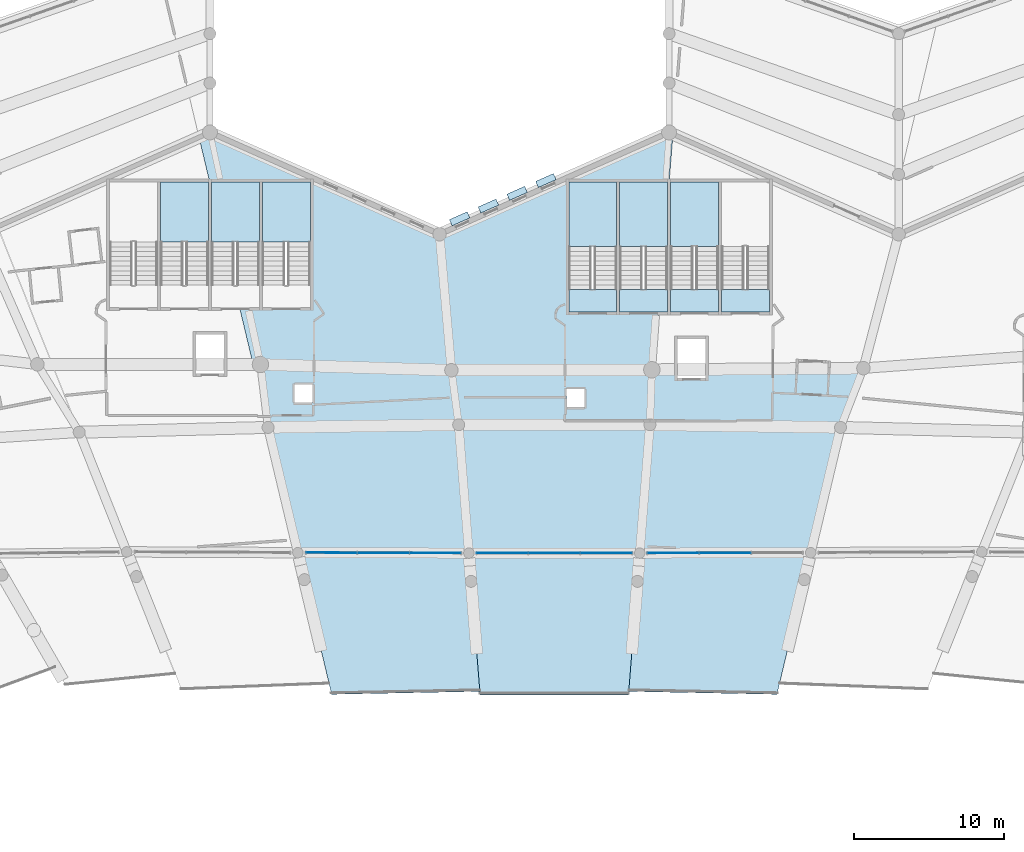
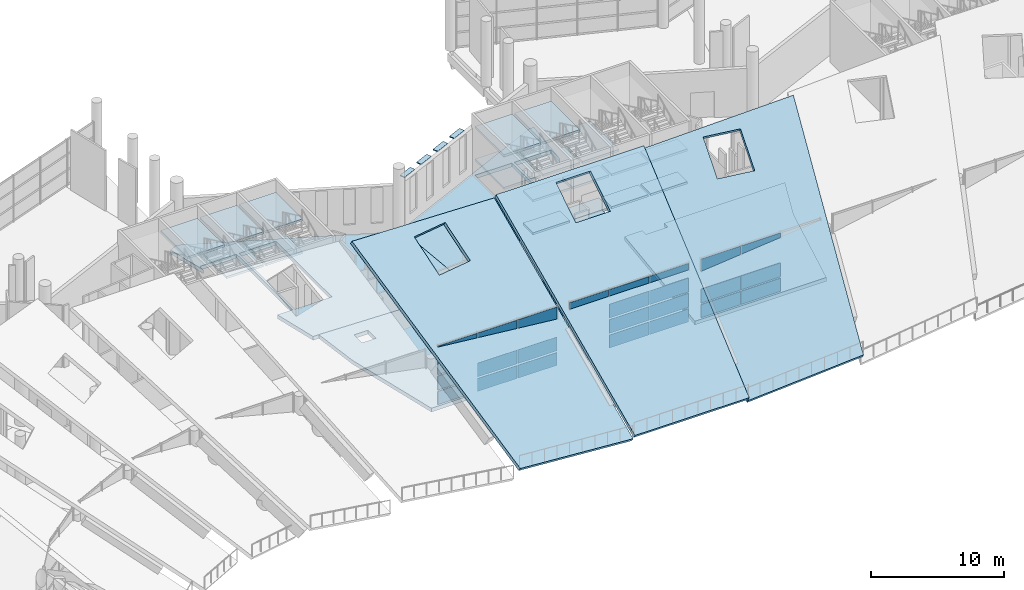
# One storey, part 125 of 249: 31 plates, 26 slabs, 10 elements without a shape of their own.
"""IFC4 building model written with IfcOpenShell, lengths in metres."""

import ifcopenshell
import ifcopenshell.guid

model = None  # the IFC model being written
_history = None  # IfcOwnerHistory: only IFC2X3 demands one
_inside = {}  # id of a spatial element -> (the spatial element, [elements in it])
_under = {}  # id of a project, library or spatial element -> (it, [spatial elements below it])
_declared = {}  # id of a project -> (the project, [libraries it declares])
_typed = {}  # id of a type object -> (the type object, [elements of that type])
_made_of = {}  # id of a material, layer set ... -> (it, [elements and type objects made of it])


def new_model(schema):
    """Start an empty IFC model of exactly this schema.

    Asked for "IFC4X3", IfcOpenShell would pick the latest addendum, in which some entities
    have other attributes; the version numbers below select the first issue.
    IFC2X3 requires an IfcOwnerHistory on every rooted entity: one is made here for all.
    """
    global model, _history
    if schema == "IFC4X3":
        model = ifcopenshell.file(schema_version=(4, 3, 0, 0))
    else:
        model = ifcopenshell.file(schema=schema)
    _inside.clear()
    _under.clear()
    _declared.clear()
    _typed.clear()
    _made_of.clear()
    _history = None
    if model.schema == "IFC2X3":
        org = make("IfcOrganization", Name="unknown")
        user = make(
            "IfcPersonAndOrganization",
            ThePerson=make("IfcPerson", FamilyName="unknown"),
            TheOrganization=org,
        )
        app = make(
            "IfcApplication",
            ApplicationDeveloper=org,
            Version="unknown",
            ApplicationFullName="unknown",
            ApplicationIdentifier="unknown",
        )
        _history = make(
            "IfcOwnerHistory",
            OwningUser=user,
            OwningApplication=app,
            ChangeAction="ADDED",
            CreationDate=0,
        )
    return model


def make(cls, **values):
    """One entity of the class cls with the attributes given. An attribute that is None is left unset."""
    return model.create_entity(
        cls, **{name: value for name, value in values.items() if value is not None}
    )


def rooted(cls, **values):
    """An entity with a GlobalId (a new one), such as an element, a storey or a relation."""
    return make(cls, GlobalId=ifcopenshell.guid.new(), OwnerHistory=_history, **values)


def si_unit(unit_type, name, prefix=None):
    """IfcSIUnit, for example si_unit("LENGTHUNIT", "METRE", prefix="MILLI")."""
    return make("IfcSIUnit", UnitType=unit_type, Prefix=prefix, Name=name)


def assignment(units):
    """IfcUnitAssignment: the units of a project."""
    return None if units is None else make("IfcUnitAssignment", Units=units)


def point(xyz):
    """IfcCartesianPoint."""
    return None if xyz is None else make("IfcCartesianPoint", Coordinates=xyz)


def direction(xyz):
    """IfcDirection."""
    return None if xyz is None else make("IfcDirection", DirectionRatios=xyz)


def frame(location, z_axis=None, x_axis=None):
    """IfcAxis2Placement3D, a coordinate frame: its origin and axes. An axis left out is left unset."""
    return make(
        "IfcAxis2Placement3D",
        Location=point(location),
        Axis=direction(z_axis),
        RefDirection=direction(x_axis),
    )


def frame_2d(location, x_axis=None):
    """IfcAxis2Placement2D, a coordinate frame in the plane: its origin and x axis."""
    return make(
        "IfcAxis2Placement2D", Location=point(location), RefDirection=direction(x_axis)
    )


def origin():
    """The frame at (0, 0, 0) with its axes left unset."""
    return frame((0.0, 0.0, 0.0))


def origin_2d():
    """The frame at (0, 0) in the plane with its x axis left unset."""
    return frame_2d((0.0, 0.0))


def place(relative_to, where):
    """IfcLocalPlacement: puts the frame where relative to a parent placement (None: the world)."""
    return make(
        "IfcLocalPlacement", PlacementRelTo=relative_to, RelativePlacement=where
    )


def context(
    kind, dimensions, precision=None, world=None, true_north=None, identifier=None
):
    """IfcGeometricRepresentationContext, for example the 3D "Model" context."""
    return make(
        "IfcGeometricRepresentationContext",
        ContextIdentifier=identifier,
        ContextType=kind,
        CoordinateSpaceDimension=dimensions,
        Precision=precision,
        WorldCoordinateSystem=world,
        TrueNorth=true_north,
    )


def subcontext(parent, identifier, kind, view, scale=None):
    """IfcGeometricRepresentationSubContext, for example "Body" below "Model"."""
    return make(
        "IfcGeometricRepresentationSubContext",
        ContextIdentifier=identifier,
        ContextType=kind,
        ParentContext=parent,
        TargetScale=scale,
        TargetView=view,
    )


def project(units=None, contexts=None):
    """IfcProject with its units and contexts."""
    return rooted(
        "IfcProject",
        Name="project",
        RepresentationContexts=contexts,
        UnitsInContext=assignment(units),
    )


def spatial(cls, under=None, at=None, **own):
    """A site, building, storey or space (cls), placed at a placement, below another one or the project."""
    s = rooted(cls, ObjectPlacement=at, **own)
    if under is not None:
        _under.setdefault(under.id(), (under, []))[1].append(s)
    return s


def polyline(points):
    """IfcPolyline through the points."""
    return make("IfcPolyline", Points=[point(p) for p in points])


def profile(cls, at=None, kind="AREA", **sizes):
    """A parametric profile (cls). Its sizes go by their IFC names, for example OverallWidth=200.0."""
    return make(cls, ProfileType=kind, Position=at, **sizes)


def rectangle(**sizes):
    """IfcRectangleProfileDef."""
    return profile("IfcRectangleProfileDef", **sizes)


def outline(outer, holes=None, kind="AREA"):
    """IfcArbitraryClosedProfileDef: a profile drawn as a closed curve; with holes, ...WithVoids."""
    if holes is None:
        return make("IfcArbitraryClosedProfileDef", ProfileType=kind, OuterCurve=outer)
    return make(
        "IfcArbitraryProfileDefWithVoids",
        ProfileType=kind,
        OuterCurve=outer,
        InnerCurves=holes,
    )


def extrude(swept, where, along, depth):
    """IfcExtrudedAreaSolid: the profile swept, set in the frame where, extruded along a direction by depth."""
    return make(
        "IfcExtrudedAreaSolid",
        SweptArea=swept,
        Position=where,
        ExtrudedDirection=direction(along),
        Depth=depth,
    )


def shape(context_of_items, identifier, shape_type, items):
    """IfcShapeRepresentation: the items that make up one representation, for example the "Body"."""
    return make(
        "IfcShapeRepresentation",
        ContextOfItems=context_of_items,
        RepresentationIdentifier=identifier,
        RepresentationType=shape_type,
        Items=items,
    )


def material(Name=None, Category=None):
    """IfcMaterial."""
    return make("IfcMaterial", Name=Name, Category=Category)


def layer(
    of_material, thickness, ventilated=None, Name=None, Category=None, Priority=None
):
    """IfcMaterialLayer: one layer of a wall or slab, of a material (None: an air gap)."""
    return make(
        "IfcMaterialLayer",
        Material=of_material,
        LayerThickness=thickness,
        IsVentilated=ventilated,
        Name=Name,
        Category=Category,
        Priority=Priority,
    )


def layer_set(layers, Name=None):
    """IfcMaterialLayerSet."""
    return make("IfcMaterialLayerSet", MaterialLayers=layers, LayerSetName=Name)


def made_of(thing, what):
    """Note that an element or type object is made of a material, layer set ...; save() writes the relation."""
    if what is not None:
        _made_of.setdefault(what.id(), (what, []))[1].append(thing)
    return thing


def type_object(cls, material=None, **own):
    """A type object (cls), such as IfcWallType, which elements share."""
    return made_of(rooted(cls, **own), material)


def element(
    cls,
    number,
    at=None,
    inside=None,
    cuts=None,
    type_object=None,
    material=None,
    context=None,
    identifier="Body",
    shape_type=None,
    held_by="IfcProductDefinitionShape",
    body=None,
    shapes=None,
    **own,
):
    """One element of the class cls, such as IfcWall. Its Tag is "e" and its number.

    at: its placement. inside: the storey or other place that contains it. cuts: it is an
    opening in that element (IfcRelVoidsElement). A single representation is given by context,
    identifier, shape_type and body (its items); several are given by shapes. held_by: the class
    of the entity that holds the representations. save() writes the other relations.
    """
    e = rooted(cls, Tag="e%d" % number, ObjectPlacement=at, **own)
    if body is not None:
        shapes = [shape(context, identifier, shape_type, body)]
    if shapes is not None:
        e.Representation = make(held_by, Representations=shapes)
    if inside is not None:
        _inside.setdefault(inside.id(), (inside, []))[1].append(e)
    if cuts is not None:
        rooted(
            "IfcRelVoidsElement", RelatingBuildingElement=cuts, RelatedOpeningElement=e
        )
    if type_object is not None:
        _typed.setdefault(type_object.id(), (type_object, []))[1].append(e)
    return made_of(e, material)


def aggregate(whole, parts):
    """IfcRelAggregates: a whole, such as a stair, and the parts it consists of."""
    return rooted("IfcRelAggregates", RelatingObject=whole, RelatedObjects=parts)


def save(model, path):
    """Write the relations noted so far, then the file.

    IfcRelAggregates (storeys below a building ...), IfcRelContainedInSpatialStructure (elements
    in a storey), IfcRelDefinesByType, IfcRelAssociatesMaterial and IfcRelDeclares: one each for
    every whole, place, type object, material and project.
    """
    for whole, parts in _under.values():
        aggregate(whole, parts)
    for where, things in _inside.values():
        rooted(
            "IfcRelContainedInSpatialStructure",
            RelatedElements=things,
            RelatingStructure=where,
        )
    for kind, things in _typed.values():
        rooted("IfcRelDefinesByType", RelatedObjects=things, RelatingType=kind)
    for what, things in _made_of.values():
        rooted("IfcRelAssociatesMaterial", RelatedObjects=things, RelatingMaterial=what)
    for by, libraries in _declared.values():
        rooted("IfcRelDeclares", RelatingContext=by, RelatedDefinitions=libraries)
    model.write(path)


model = new_model("IFC4")

# Units and contexts
model_context = context("Model", 3, precision=1e-05, world=origin(), true_north=direction((0.0, 1.0)))
body_context = subcontext(model_context, "Body", "Model", "MODEL_VIEW")
ifc_project = project(units=[si_unit("LENGTHUNIT", "METRE"), si_unit("AREAUNIT", "SQUARE_METRE"), si_unit("VOLUMEUNIT", "CUBIC_METRE"), si_unit("PLANEANGLEUNIT", "RADIAN"), si_unit("MASSUNIT", "GRAM", prefix="KILO")], contexts=[model_context])

# Site, building, storey
site_placement = place(None, origin())
site = spatial("IfcSite", under=ifc_project, at=site_placement, CompositionType="ELEMENT")
building_placement = place(site_placement, origin())
building = spatial("IfcBuilding", under=site, at=building_placement, Name="Meseta Stadium", CompositionType="ELEMENT")
storey_placement = place(building_placement, frame((0.0, 0.0, 12.0)))
storey = spatial("IfcBuildingStorey", under=building, at=storey_placement, Name="L02", CompositionType="ELEMENT", Elevation=12.0)

# Curtain wall, plates
ifc_material_1 = material(Name="Aluminium", Category="aluminium")
ifc_layer_1 = layer(ifc_material_1, 0.199951171875)
ifc_layer_set_1 = layer_set([ifc_layer_1], Name="Suite glazing curtain wall")
curtain_wall_type = type_object("IfcCurtainWallType", Name="Suite glazing curtain wall", PredefinedType="NOTDEFINED", material=ifc_layer_set_1)
curtain_wall_1_placement = place(storey_placement, origin())
curtain_wall_1 = element("IfcCurtainWall", 1, at=curtain_wall_1_placement, inside=storey, type_object=curtain_wall_type, Name="Suite glazing bay 17", PredefinedType="NOTDEFINED")
ifc_material_2 = material(Name="Glass", Category="glass")
ifc_layer_2 = layer(ifc_material_2, 0.035888671875)
ifc_layer_set_2 = layer_set([ifc_layer_2], Name="CW glass panel 36")
plate_type_1 = type_object("IfcPlateType", Name="CW glass panel 36", PredefinedType="CURTAIN_PANEL", material=ifc_layer_set_2)
plate_1_placement = place(storey_placement, frame((11.41064453125, 77.31787109375, 0.14990234375), z_axis=(0.0, 0.0, 1.0), x_axis=(-0.999996910004, -0.002485957037, 0.0)))
plate_1 = element("IfcPlate", 2, at=plate_1_placement, type_object=plate_type_1, Name="CWS panel 2.1", PredefinedType="CURTAIN_PANEL", context=body_context, shape_type="SweptSolid", body=[
    extrude(rectangle(XDim=3.42236328125, YDim=0.035888671875, at=origin_2d()), origin(), (0.0, 0.0, 1.0), 1.1875),
])
plate_2_placement = place(storey_placement, frame((11.41064453125, 77.31787109375, 1.4873046875), z_axis=(0.0, 0.0, 1.0), x_axis=(-0.999996910004, -0.002485957037, 0.0)))
plate_2 = element("IfcPlate", 3, at=plate_2_placement, type_object=plate_type_1, Name="CWS panel 2.2", PredefinedType="CURTAIN_PANEL", context=body_context, shape_type="SweptSolid", body=[
    extrude(rectangle(XDim=3.42236328125, YDim=0.035888671875, at=origin_2d()), origin(), (0.0, 0.0, 1.0), 1.262451171875),
])
plate_3_placement = place(storey_placement, frame((11.41064453125, 77.31787109375, 2.89990234375), z_axis=(0.0, 0.0, 1.0), x_axis=(-0.999996910004, -0.002485957037, 0.0)))
plate_3 = element("IfcPlate", 4, at=plate_3_placement, type_object=plate_type_1, Name="CWS panel 2.3", PredefinedType="CURTAIN_PANEL", context=body_context, shape_type="SweptSolid", body=[
    extrude(rectangle(XDim=3.42236328125, YDim=0.035888671875, at=origin_2d()), origin(), (0.0, 0.0, 1.0), 2.60009765625),
])
plate_4_placement = place(storey_placement, frame((7.943359375, 77.309326171875, 0.14990234375), z_axis=(0.0, 0.0, 1.0), x_axis=(-0.999996910004, -0.002485957037, 0.0)))
plate_4 = element("IfcPlate", 5, at=plate_4_placement, type_object=plate_type_1, Name="CWS panel 3.1", PredefinedType="CURTAIN_PANEL", context=body_context, shape_type="SweptSolid", body=[
    extrude(rectangle(XDim=3.392333984375, YDim=0.035888671875, at=origin_2d()), origin(), (0.0, 0.0, 1.0), 1.1875),
])
plate_5_placement = place(storey_placement, frame((7.943359375, 77.309326171875, 1.4873046875), z_axis=(0.0, 0.0, 1.0), x_axis=(-0.999996910004, -0.002485957037, 0.0)))
plate_5 = element("IfcPlate", 6, at=plate_5_placement, type_object=plate_type_1, Name="CWS panel 3.2", PredefinedType="CURTAIN_PANEL", context=body_context, shape_type="SweptSolid", body=[
    extrude(rectangle(XDim=3.392333984375, YDim=0.035888671875, at=origin_2d()), origin(), (0.0, 0.0, 1.0), 1.262451171875),
])
plate_6_placement = place(storey_placement, frame((7.943359375, 77.309326171875, 2.89990234375), z_axis=(0.0, 0.0, 1.0), x_axis=(-0.999996910004, -0.002485957037, 0.0)))
plate_6 = element("IfcPlate", 7, at=plate_6_placement, type_object=plate_type_1, Name="CWS panel 3.3", PredefinedType="CURTAIN_PANEL", context=body_context, shape_type="SweptSolid", body=[
    extrude(rectangle(XDim=3.392333984375, YDim=0.035888671875, at=origin_2d()), origin(), (0.0, 0.0, 1.0), 2.60009765625),
])
aggregate(curtain_wall_1, [plate_1, plate_2, plate_3, plate_4, plate_5, plate_6])

curtain_wall_2_placement = place(storey_placement, origin())
curtain_wall_2 = element("IfcCurtainWall", 8, at=curtain_wall_2_placement, inside=storey, type_object=curtain_wall_type, Name="Suite glazing bay 18", PredefinedType="NOTDEFINED")
plate_7_placement = place(storey_placement, frame((3.46923828125, 77.3037109375, 0.14990234375), z_axis=(0.0, 0.0, 1.0), x_axis=(-1.0, 0.0, 0.0)))
plate_7 = element("IfcPlate", 9, at=plate_7_placement, type_object=plate_type_1, Name="CWS panel 1.1", PredefinedType="CURTAIN_PANEL", context=body_context, shape_type="SweptSolid", body=[
    extrude(rectangle(XDim=3.39404296875, YDim=0.035888671875, at=origin_2d()), origin(), (0.0, 0.0, 1.0), 1.1875),
])
plate_8_placement = place(storey_placement, frame((3.46923828125, 77.3037109375, 1.4873046875), z_axis=(0.0, 0.0, 1.0), x_axis=(-1.0, 0.0, 0.0)))
plate_8 = element("IfcPlate", 10, at=plate_8_placement, type_object=plate_type_1, Name="CWS panel 1.2", PredefinedType="CURTAIN_PANEL", context=body_context, shape_type="SweptSolid", body=[
    extrude(rectangle(XDim=3.39404296875, YDim=0.035888671875, at=origin_2d()), origin(), (0.0, 0.0, 1.0), 1.262451171875),
])
plate_9_placement = place(storey_placement, frame((3.46923828125, 77.3037109375, 2.89990234375), z_axis=(0.0, 0.0, 1.0), x_axis=(-1.0, 0.0, 0.0)))
plate_9 = element("IfcPlate", 11, at=plate_9_placement, type_object=plate_type_1, Name="CWS panel 1.3", PredefinedType="CURTAIN_PANEL", context=body_context, shape_type="SweptSolid", body=[
    extrude(rectangle(XDim=3.39404296875, YDim=0.035888671875, at=origin_2d()), origin(), (0.0, 0.0, 1.0), 1.262451171875),
])
plate_10_placement = place(storey_placement, frame((3.46923828125, 77.3037109375, 4.3125), z_axis=(0.0, 0.0, 1.0), x_axis=(-1.0, 0.0, 0.0)))
plate_10 = element("IfcPlate", 12, at=plate_10_placement, type_object=plate_type_1, Name="CWS panel 1.4", PredefinedType="CURTAIN_PANEL", context=body_context, shape_type="SweptSolid", body=[
    extrude(rectangle(XDim=3.39404296875, YDim=0.035888671875, at=origin_2d()), origin(), (0.0, 0.0, 1.0), 1.1875),
])
plate_11_placement = place(storey_placement, frame((0.0, 77.3037109375, 0.14990234375), z_axis=(0.0, 0.0, 1.0), x_axis=(-1.0, 0.0, 0.0)))
plate_11 = element("IfcPlate", 13, at=plate_11_placement, type_object=plate_type_1, Name="CWS panel 2.1", PredefinedType="CURTAIN_PANEL", context=body_context, shape_type="SweptSolid", body=[
    extrude(rectangle(XDim=3.424072265625, YDim=0.035888671875, at=origin_2d()), origin(), (0.0, 0.0, 1.0), 1.1875),
])
plate_12_placement = place(storey_placement, frame((0.0, 77.3037109375, 1.4873046875), z_axis=(0.0, 0.0, 1.0), x_axis=(-1.0, 0.0, 0.0)))
plate_12 = element("IfcPlate", 14, at=plate_12_placement, type_object=plate_type_1, Name="CWS panel 2.2", PredefinedType="CURTAIN_PANEL", context=body_context, shape_type="SweptSolid", body=[
    extrude(rectangle(XDim=3.424072265625, YDim=0.035888671875, at=origin_2d()), origin(), (0.0, 0.0, 1.0), 1.262451171875),
])
plate_13_placement = place(storey_placement, frame((0.0, 77.3037109375, 2.89990234375), z_axis=(0.0, 0.0, 1.0), x_axis=(-1.0, 0.0, 0.0)))
plate_13 = element("IfcPlate", 15, at=plate_13_placement, type_object=plate_type_1, Name="CWS panel 2.3", PredefinedType="CURTAIN_PANEL", context=body_context, shape_type="SweptSolid", body=[
    extrude(rectangle(XDim=3.424072265625, YDim=0.035888671875, at=origin_2d()), origin(), (0.0, 0.0, 1.0), 1.262451171875),
])
plate_14_placement = place(storey_placement, frame((0.0, 77.3037109375, 4.3125), z_axis=(0.0, 0.0, 1.0), x_axis=(-1.0, 0.0, 0.0)))
plate_14 = element("IfcPlate", 16, at=plate_14_placement, type_object=plate_type_1, Name="CWS panel 2.4", PredefinedType="CURTAIN_PANEL", context=body_context, shape_type="SweptSolid", body=[
    extrude(rectangle(XDim=3.424072265625, YDim=0.035888671875, at=origin_2d()), origin(), (0.0, 0.0, 1.0), 1.1875),
])
plate_15_placement = place(storey_placement, frame((-3.46923828125, 77.3037109375, 0.14990234375), z_axis=(0.0, 0.0, 1.0), x_axis=(-1.0, 0.0, 0.0)))
plate_15 = element("IfcPlate", 17, at=plate_15_placement, type_object=plate_type_1, Name="CWS panel 3.1", PredefinedType="CURTAIN_PANEL", context=body_context, shape_type="SweptSolid", body=[
    extrude(rectangle(XDim=3.39404296875, YDim=0.035888671875, at=origin_2d()), origin(), (0.0, 0.0, 1.0), 1.1875),
])
plate_16_placement = place(storey_placement, frame((-3.46923828125, 77.3037109375, 1.4873046875), z_axis=(0.0, 0.0, 1.0), x_axis=(-1.0, 0.0, 0.0)))
plate_16 = element("IfcPlate", 18, at=plate_16_placement, type_object=plate_type_1, Name="CWS panel 3.2", PredefinedType="CURTAIN_PANEL", context=body_context, shape_type="SweptSolid", body=[
    extrude(rectangle(XDim=3.39404296875, YDim=0.035888671875, at=origin_2d()), origin(), (0.0, 0.0, 1.0), 1.262451171875),
])
plate_17_placement = place(storey_placement, frame((-3.46923828125, 77.3037109375, 2.89990234375), z_axis=(0.0, 0.0, 1.0), x_axis=(-1.0, 0.0, 0.0)))
plate_17 = element("IfcPlate", 19, at=plate_17_placement, type_object=plate_type_1, Name="CWS panel 3.3", PredefinedType="CURTAIN_PANEL", context=body_context, shape_type="SweptSolid", body=[
    extrude(rectangle(XDim=3.39404296875, YDim=0.035888671875, at=origin_2d()), origin(), (0.0, 0.0, 1.0), 1.262451171875),
])
plate_18_placement = place(storey_placement, frame((-3.46923828125, 77.3037109375, 4.3125), z_axis=(0.0, 0.0, 1.0), x_axis=(-1.0, 0.0, 0.0)))
plate_18 = element("IfcPlate", 20, at=plate_18_placement, type_object=plate_type_1, Name="CWS panel 3.4", PredefinedType="CURTAIN_PANEL", context=body_context, shape_type="SweptSolid", body=[
    extrude(rectangle(XDim=3.39404296875, YDim=0.035888671875, at=origin_2d()), origin(), (0.0, 0.0, 1.0), 1.1875),
])
aggregate(curtain_wall_2, [plate_7, plate_8, plate_9, plate_10, plate_11, plate_12, plate_13, plate_14, plate_15, plate_16, plate_17, plate_18])

curtain_wall_3_placement = place(storey_placement, origin())
curtain_wall_3 = element("IfcCurtainWall", 21, at=curtain_wall_3_placement, inside=storey, type_object=curtain_wall_type, Name="Suite glazing bay 19", PredefinedType="NOTDEFINED")
plate_19_placement = place(storey_placement, frame((-7.943359375, 77.309326171875, 0.14990234375), z_axis=(0.0, 0.0, 1.0), x_axis=(-0.999996910004, 0.002485957037, 0.0)))
plate_19 = element("IfcPlate", 22, at=plate_19_placement, type_object=plate_type_1, Name="CWS panel 1.1", PredefinedType="CURTAIN_PANEL", context=body_context, shape_type="SweptSolid", body=[
    extrude(rectangle(XDim=3.392333984375, YDim=0.035888671875, at=origin_2d()), origin(), (0.0, 0.0, 1.0), 1.1875),
])
plate_20_placement = place(storey_placement, frame((-7.943359375, 77.309326171875, 1.4873046875), z_axis=(0.0, 0.0, 1.0), x_axis=(-0.999996910004, 0.002485957037, 0.0)))
plate_20 = element("IfcPlate", 23, at=plate_20_placement, type_object=plate_type_1, Name="CWS panel 1.2", PredefinedType="CURTAIN_PANEL", context=body_context, shape_type="SweptSolid", body=[
    extrude(rectangle(XDim=3.392333984375, YDim=0.035888671875, at=origin_2d()), origin(), (0.0, 0.0, 1.0), 1.262451171875),
])
plate_21_placement = place(storey_placement, frame((-7.943359375, 77.309326171875, 2.89990234375), z_axis=(0.0, 0.0, 1.0), x_axis=(-0.999996910004, 0.002485957037, 0.0)))
plate_21 = element("IfcPlate", 24, at=plate_21_placement, type_object=plate_type_1, Name="CWS panel 1.3", PredefinedType="CURTAIN_PANEL", context=body_context, shape_type="SweptSolid", body=[
    extrude(rectangle(XDim=3.392333984375, YDim=0.035888671875, at=origin_2d()), origin(), (0.0, 0.0, 1.0), 2.60009765625),
])
plate_22_placement = place(storey_placement, frame((-11.41064453125, 77.31787109375, 0.14990234375), z_axis=(0.0, 0.0, 1.0), x_axis=(-0.999996910004, 0.002485957037, 0.0)))
plate_22 = element("IfcPlate", 25, at=plate_22_placement, type_object=plate_type_1, Name="CWS panel 2.1", PredefinedType="CURTAIN_PANEL", context=body_context, shape_type="SweptSolid", body=[
    extrude(rectangle(XDim=3.42236328125, YDim=0.035888671875, at=origin_2d()), origin(), (0.0, 0.0, 1.0), 1.1875),
])
plate_23_placement = place(storey_placement, frame((-11.41064453125, 77.31787109375, 1.4873046875), z_axis=(0.0, 0.0, 1.0), x_axis=(-0.999996910004, 0.002485957037, 0.0)))
plate_23 = element("IfcPlate", 26, at=plate_23_placement, type_object=plate_type_1, Name="CWS panel 2.2", PredefinedType="CURTAIN_PANEL", context=body_context, shape_type="SweptSolid", body=[
    extrude(rectangle(XDim=3.42236328125, YDim=0.035888671875, at=origin_2d()), origin(), (0.0, 0.0, 1.0), 1.262451171875),
])
plate_24_placement = place(storey_placement, frame((-11.41064453125, 77.31787109375, 2.89990234375), z_axis=(0.0, 0.0, 1.0), x_axis=(-0.999996910004, 0.002485957037, 0.0)))
plate_24 = element("IfcPlate", 27, at=plate_24_placement, type_object=plate_type_1, Name="CWS panel 2.3", PredefinedType="CURTAIN_PANEL", context=body_context, shape_type="SweptSolid", body=[
    extrude(rectangle(XDim=3.42236328125, YDim=0.035888671875, at=origin_2d()), origin(), (0.0, 0.0, 1.0), 2.60009765625),
])
plate_25_placement = place(storey_placement, frame((-14.8779296875, 77.326416015625, 0.14990234375), z_axis=(0.0, 0.0, 1.0), x_axis=(-0.999996910004, 0.002485957037, 0.0)))
plate_25 = element("IfcPlate", 28, at=plate_25_placement, type_object=plate_type_1, Name="CWS panel 3.1", PredefinedType="CURTAIN_PANEL", context=body_context, shape_type="SweptSolid", body=[
    extrude(rectangle(XDim=3.392333984375, YDim=0.035888671875, at=origin_2d()), origin(), (0.0, 0.0, 1.0), 1.1875),
])
plate_26_placement = place(storey_placement, frame((-14.8779296875, 77.326416015625, 1.4873046875), z_axis=(0.0, 0.0, 1.0), x_axis=(-0.999996910004, 0.002485957037, 0.0)))
plate_26 = element("IfcPlate", 29, at=plate_26_placement, type_object=plate_type_1, Name="CWS panel 3.2", PredefinedType="CURTAIN_PANEL", context=body_context, shape_type="SweptSolid", body=[
    extrude(rectangle(XDim=3.392333984375, YDim=0.035888671875, at=origin_2d()), origin(), (0.0, 0.0, 1.0), 1.262451171875),
])
plate_27_placement = place(storey_placement, frame((-14.8779296875, 77.326416015625, 2.89990234375), z_axis=(0.0, 0.0, 1.0), x_axis=(-0.999996910004, 0.002485957037, 0.0)))
plate_27 = element("IfcPlate", 30, at=plate_27_placement, type_object=plate_type_1, Name="CWS panel 3.3", PredefinedType="CURTAIN_PANEL", context=body_context, shape_type="SweptSolid", body=[
    extrude(rectangle(XDim=3.392333984375, YDim=0.035888671875, at=origin_2d()), origin(), (0.0, 0.0, 1.0), 2.60009765625),
])
aggregate(curtain_wall_3, [plate_19, plate_20, plate_21, plate_22, plate_23, plate_24, plate_25, plate_26, plate_27])

# Slabs
ifc_material_3 = material(Name="Concrete C40/50", Category="concrete")
ifc_layer_3 = layer(ifc_material_3, 0.35009765625)
ifc_layer_set_3 = layer_set([ifc_layer_3], Name="Floor slab 350")
slab_type_1 = type_object("IfcSlabType", Name="Floor slab 350", PredefinedType="FLOOR", material=ifc_layer_set_3)
slab_1_placement = place(storey_placement, frame((0.0, 0.0, -0.35009765625)))
element("IfcSlab", 31, at=slab_1_placement, inside=storey, type_object=slab_type_1, Name="Floor slab L02 sector 14 panel 03", PredefinedType="FLOOR", context=body_context, shape_type="SweptSolid", body=[
    extrude(outline(polyline([(-21.023681640625, 93.699951171875), (-20.1201171875, 89.904052734375), (-19.62744140625, 89.90380859375), (-6.87060546875, 89.517822265625), (-6.676025390625, 89.518310546875), (-7.406005859375, 98.715576171875), (-7.666748046875, 98.60009765625), (-23.0, 105.39990234375), (-23.732177734375, 105.0751953125), (-22.89990234375, 101.580078125), (-22.89990234375, 102.10009765625), (-19.699951171875, 102.10009765625), (-19.699951171875, 93.699951171875), (-21.023681640625, 93.699951171875)]), holes=[polyline([(-19.5, 102.10009765625), (-16.300048828125, 102.10009765625), (-16.300048828125, 93.699951171875), (-19.5, 93.699951171875), (-19.5, 102.10009765625)])]), origin(), (0.0, 0.0, 1.0), 0.35009765625),
])
slab_2_placement = place(storey_placement, frame((0.0, 0.0, -0.35009765625)))
element("IfcSlab", 32, at=slab_2_placement, inside=storey, type_object=slab_type_1, Name="Floor slab L02 sector 14 panel 04", PredefinedType="FLOOR", context=body_context, shape_type="SweptSolid", body=[
    extrude(outline(polyline([(-19.62744140625, 89.90380859375), (-19.11865234375, 85.6982421875), (-17.126708984375, 77.33203125), (-13.318603515625, 77.319580078125), (-7.609130859375, 77.306640625), (-5.70654296875, 77.3037109375), (-6.676025390625, 89.518310546875), (-6.87060546875, 89.517822265625), (-19.62744140625, 89.90380859375)]), holes=[polyline([(-17.35009765625, 88.550048828125), (-16.14990234375, 88.550048828125), (-16.14990234375, 87.35009765625), (-17.35009765625, 87.35009765625), (-17.35009765625, 88.550048828125)])]), origin(), (0.0, 0.0, 1.0), 0.35009765625),
])
slab_3_placement = place(storey_placement, frame((0.0, 0.0, -0.35009765625)))
element("IfcSlab", 33, at=slab_3_placement, inside=storey, type_object=slab_type_1, Name="Floor slab L02 sector 14 panel 05", PredefinedType="FLOOR", context=body_context, shape_type="SweptSolid", body=[
    extrude(outline(polyline([(7.92724609375, 105.284423828125), (7.666748046875, 105.39990234375), (-7.406005859375, 98.715576171875), (-6.676025390625, 89.518310546875), (6.51708984375, 89.54638671875), (6.678466796875, 89.547607421875), (6.984130859375, 93.39990234375), (4.36669921875, 93.39990234375), (4.36669921875, 102.10009765625), (7.566650390625, 102.10009765625), (7.566650390625, 100.740478515625), (7.92724609375, 105.284423828125)]), holes=[polyline([(4.166748046875, 93.39990234375), (0.966796875, 93.39990234375), (0.966796875, 102.10009765625), (4.166748046875, 102.10009765625), (4.166748046875, 93.39990234375)])]), origin(), (0.0, 0.0, 1.0), 0.35009765625),
])
slab_4_placement = place(storey_placement, frame((0.0, 0.0, -0.35009765625)))
element("IfcSlab", 34, at=slab_4_placement, inside=storey, type_object=slab_type_1, Name="Floor slab L02 sector 14 panel 06", PredefinedType="FLOOR", context=body_context, shape_type="SweptSolid", body=[
    extrude(outline(polyline([(-5.70654296875, 77.3037109375), (-1.902099609375, 77.30029296875), (3.80419921875, 77.301513671875), (5.70654296875, 77.3037109375), (6.678466796875, 89.547607421875), (6.51708984375, 89.54638671875), (-6.676025390625, 89.518310546875), (-5.70654296875, 77.3037109375)]), holes=[polyline([(0.816650390625, 87.050048828125), (0.816650390625, 88.25), (2.0166015625, 88.25), (2.0166015625, 87.050048828125), (0.816650390625, 87.050048828125)])]), origin(), (0.0, 0.0, 1.0), 0.35009765625),
])
slab_5_placement = place(storey_placement, frame((0.0, 0.0, -0.35009765625)))
element("IfcSlab", 35, at=slab_5_placement, inside=storey, type_object=slab_type_1, Name="Floor slab L02 sector 14 panel 07", PredefinedType="FLOOR", context=body_context, shape_type="SweptSolid", body=[
    extrude(outline(polyline([(5.70654296875, 77.3037109375), (9.511962890625, 77.310302734375), (15.222412109375, 77.32568359375), (17.126708984375, 77.33203125), (19.11865234375, 85.698486328125), (20.649658203125, 89.65625), (10.11669921875, 89.574462890625), (10.11669921875, 89.0), (8.216796875, 89.0), (8.216796875, 89.5595703125), (6.678466796875, 89.547607421875), (5.70654296875, 77.3037109375)])), origin(), (0.0, 0.0, 1.0), 0.35009765625),
])

# Plates
ifc_material_4 = material(Name="White precast concrete C40/50", Category="concrete")
ifc_layer_4 = layer(ifc_material_4, 0.080078125)
ifc_layer_set_4 = layer_set([ifc_layer_4], Name="Louvre hood 1300x450")
plate_type_2 = type_object("IfcPlateType", Name="Louvre hood 1300x450", PredefinedType="USERDEFINED", material=ifc_layer_set_4)
for number, where, z_axis, x_axis, name in (
    (36, (-6.320556640625, 99.634521484375, 4.25), (0.0, 0.0, 1.0), (-0.914139046248, -0.40540079443, 0.0), "Louvre hood L02 F18"),
    (37, (-4.40087890625, 100.48583984375, 4.25), (0.0, 0.0, 1.0), (-0.914139046248, -0.40540079443, 0.0), "Louvre hood L02 F18"),
    (38, (-2.481201171875, 101.337158203125, 4.25), (0.0, 0.0, 1.0), (-0.914139046248, -0.40540079443, 0.0), "Louvre hood L02 F18"),
    (39, (-0.5615234375, 102.1884765625, 4.25), (0.0, 0.0, 1.0), (-0.914139046248, -0.40540079443, 0.0), "Louvre hood L02 F18"),
):
    element("IfcPlate", number, at=place(storey_placement, frame(where, z_axis=z_axis, x_axis=x_axis)), inside=storey, type_object=plate_type_2, Name=name, ObjectType="LOUVRE", PredefinedType="USERDEFINED", context=body_context, shape_type="SweptSolid", body=[
        extrude(rectangle(XDim=1.300048828125, YDim=0.449951171875, at=origin_2d()), origin(), (0.0, 0.0, 1.0), 0.080078125),
    ])

# Slabs
ifc_material_5 = material(Name="Concrete C40/50", Category="concrete")
ifc_layer_5 = layer(ifc_material_5, 0.35009765625)
ifc_layer_set_5 = layer_set([ifc_layer_5], Name="Seating tier 350")
slab_type_2 = type_object("IfcSlabType", Name="Seating tier 350", PredefinedType="USERDEFINED", material=ifc_layer_set_5)
slab_6_placement = place(storey_placement, frame((14.873291015625, 67.867431640625, -0.5751953125), z_axis=(-0.083083115833, -0.523447185121, 0.847997783165), x_axis=(0.196569333747, 0.82561320771, 0.528888767404)))
element("IfcSlab", 40, at=slab_6_placement, inside=storey, type_object=slab_type_2, Name="Stand upper tier bay 18", ObjectType="SEATING TIER", PredefinedType="USERDEFINED", context=body_context, shape_type="SweptSolid", body=[
    extrude(outline(polyline([(0.0, 0.0), (21.68057750657857, -5.551115123125783e-16), (19.2585323789255, 12.518351745676794), (-2.2347661710903512, 9.683925754722257), (0.0, 0.0)]), holes=[polyline([(16.1083984375, 4.469482421875), (19.638916015625, 4.698486328125), (19.44482421875, 7.6923828125), (15.91455078125, 7.46337890625), (16.1083984375, 4.469482421875)])]), origin(), (0.0, 0.0, -1.0), 0.35009765625),
])
slab_7_placement = place(storey_placement, frame((4.955078125, 67.83349609375, -1.0), z_axis=(0.0, -0.530005027376, 0.847994499367), x_axis=(0.067152629174, 0.846080333703, 0.528808654728)))
element("IfcSlab", 41, at=slab_7_placement, inside=storey, type_object=slab_type_2, Name="Stand upper tier bay 19", ObjectType="SEATING TIER", PredefinedType="USERDEFINED", context=body_context, shape_type="SweptSolid", body=[
    extrude(outline(polyline([(0.0, 0.0), (21.67912954076398, -1.6653345369377348e-16), (20.81811348144224, 12.792834932034841), (-0.6654930477167477, 9.887786198277892), (0.0, 0.0)]), holes=[polyline([(17.244140625, 4.62353515625), (20.77392578125, 4.861083984375), (20.572265625, 7.854248046875), (17.042724609375, 7.61669921875), (17.244140625, 4.62353515625)])]), origin(), (0.0, 0.0, -1.0), 0.35009765625),
])
slab_8_placement = place(storey_placement, frame((-4.97314453125, 68.06201171875, -1.4248046875), z_axis=(0.083083115833, -0.523447185121, 0.847997783165), x_axis=(-0.067151002504, 0.846065047124, 0.528833318634)))
element("IfcSlab", 42, at=slab_8_placement, inside=storey, type_object=slab_type_2, Name="Stand upper tier bay 20", ObjectType="SEATING TIER", PredefinedType="USERDEFINED", context=body_context, shape_type="SweptSolid", body=[
    extrude(outline(polyline([(0.0, 0.0), (21.67938775100238, -1.1102230246251565e-16), (22.44395719681779, 12.727563262125344), (0.9494791037219303, 9.892981719078342), (0.0, 0.0)]), holes=[polyline([(17.703125, 4.574462890625), (21.233154296875, 4.80908203125), (21.033935546875, 7.80224609375), (17.504150390625, 7.56787109375), (17.703125, 4.574462890625)])]), origin(), (0.0, 0.0, -1.0), 0.35009765625),
])

# Stair, slabs
ifc_material_6 = material(Name="Concrete C40/50", Category="concrete")
stair_type = type_object("IfcStairType", Name="Exit stair 4 flights 150 mm risers", PredefinedType="HALF_TURN_STAIR", material=ifc_material_6)
stair_1_placement = place(storey_placement, origin())
stair_1 = element("IfcStair", 43, at=stair_1_placement, inside=storey, type_object=stair_type, Name="ST37 L02", PredefinedType="HALF_TURN_STAIR")
ifc_material_7 = material(Name="Concrete C40/50", Category="concrete")
ifc_layer_6 = layer(ifc_material_7, 0.199951171875)
ifc_layer_set_6 = layer_set([ifc_layer_6], Name="Stair landing 200")
slab_type_3 = type_object("IfcSlabType", Name="Stair landing 200", PredefinedType="LANDING", material=ifc_layer_set_6)
slab_9_placement = place(storey_placement, frame((0.0, 0.0, 2.800048828125)))
slab_9 = element("IfcSlab", 44, at=slab_9_placement, type_object=slab_type_3, Name="ST37 L02 landing 2", PredefinedType="LANDING", context=body_context, shape_type="SweptSolid", body=[
    extrude(outline(polyline([(14.36669921875, 93.39990234375), (14.36669921875, 94.909912109375), (11.166748046875, 94.909912109375), (11.166748046875, 93.39990234375), (14.36669921875, 93.39990234375)])), origin(), (0.0, 0.0, 1.0), 0.199951171875),
])
slab_10_placement = place(storey_placement, frame((0.0, 0.0, -0.199951171875)))
slab_10 = element("IfcSlab", 45, at=slab_10_placement, type_object=slab_type_3, Name="ST37 L02 landing 4", PredefinedType="LANDING", context=body_context, shape_type="SweptSolid", body=[
    extrude(outline(polyline([(14.36669921875, 93.39990234375), (14.36669921875, 94.909912109375), (11.166748046875, 94.909912109375), (11.166748046875, 93.39990234375), (14.36669921875, 93.39990234375)])), origin(), (0.0, 0.0, 1.0), 0.199951171875),
])
aggregate(stair_1, [slab_9, slab_10])

stair_2_placement = place(storey_placement, origin())
stair_2 = element("IfcStair", 46, at=stair_2_placement, inside=storey, type_object=stair_type, Name="ST38 L02", PredefinedType="HALF_TURN_STAIR")
slab_11_placement = place(storey_placement, frame((0.0, 0.0, 1.300048828125)))
slab_11 = element("IfcSlab", 47, at=slab_11_placement, type_object=slab_type_3, Name="ST38 L02 landing 1", PredefinedType="LANDING", context=body_context, shape_type="SweptSolid", body=[
    extrude(outline(polyline([(10.966552734375, 97.77001953125), (10.966552734375, 102.10009765625), (7.7666015625, 102.10009765625), (7.7666015625, 97.77001953125), (10.966552734375, 97.77001953125)])), origin(), (0.0, 0.0, 1.0), 0.199951171875),
])
slab_12_placement = place(storey_placement, frame((0.0, 0.0, 2.800048828125)))
slab_12 = element("IfcSlab", 48, at=slab_12_placement, type_object=slab_type_3, Name="ST38 L02 landing 2", PredefinedType="LANDING", context=body_context, shape_type="SweptSolid", body=[
    extrude(outline(polyline([(10.966552734375, 93.39990234375), (10.966552734375, 94.909912109375), (7.7666015625, 94.909912109375), (7.7666015625, 93.39990234375), (10.966552734375, 93.39990234375)])), origin(), (0.0, 0.0, 1.0), 0.199951171875),
])
slab_13_placement = place(storey_placement, frame((0.0, 0.0, -0.199951171875)))
slab_13 = element("IfcSlab", 49, at=slab_13_placement, type_object=slab_type_3, Name="ST38 L02 landing 4", PredefinedType="LANDING", context=body_context, shape_type="SweptSolid", body=[
    extrude(outline(polyline([(10.966552734375, 93.39990234375), (10.966552734375, 94.909912109375), (7.7666015625, 94.909912109375), (7.7666015625, 93.39990234375), (10.966552734375, 93.39990234375)])), origin(), (0.0, 0.0, 1.0), 0.199951171875),
])
aggregate(stair_2, [slab_11, slab_12, slab_13])

stair_3_placement = place(storey_placement, origin())
stair_3 = element("IfcStair", 50, at=stair_3_placement, inside=storey, type_object=stair_type, Name="ST39 L02", PredefinedType="HALF_TURN_STAIR")
slab_14_placement = place(storey_placement, frame((0.0, 0.0, 1.300048828125)))
slab_14 = element("IfcSlab", 51, at=slab_14_placement, type_object=slab_type_3, Name="ST39 L02 landing 1", PredefinedType="LANDING", context=body_context, shape_type="SweptSolid", body=[
    extrude(outline(polyline([(7.566650390625, 97.77001953125), (7.566650390625, 102.10009765625), (4.36669921875, 102.10009765625), (4.36669921875, 97.77001953125), (7.566650390625, 97.77001953125)])), origin(), (0.0, 0.0, 1.0), 0.199951171875),
])
slab_15_placement = place(storey_placement, frame((0.0, 0.0, 2.800048828125)))
slab_15 = element("IfcSlab", 52, at=slab_15_placement, type_object=slab_type_3, Name="ST39 L02 landing 2", PredefinedType="LANDING", context=body_context, shape_type="SweptSolid", body=[
    extrude(outline(polyline([(7.566650390625, 93.39990234375), (7.566650390625, 94.909912109375), (4.36669921875, 94.909912109375), (4.36669921875, 93.39990234375), (7.566650390625, 93.39990234375)])), origin(), (0.0, 0.0, 1.0), 0.199951171875),
])
slab_16_placement = place(storey_placement, frame((0.0, 0.0, 4.300048828125)))
slab_16 = element("IfcSlab", 53, at=slab_16_placement, type_object=slab_type_3, Name="ST39 L02 landing 3", PredefinedType="LANDING", context=body_context, shape_type="SweptSolid", body=[
    extrude(outline(polyline([(7.566650390625, 97.77001953125), (7.566650390625, 102.10009765625), (4.36669921875, 102.10009765625), (4.36669921875, 97.77001953125), (7.566650390625, 97.77001953125)])), origin(), (0.0, 0.0, 1.0), 0.199951171875),
])
slab_17_placement = place(storey_placement, frame((0.0, 0.0, -0.199951171875)))
slab_17 = element("IfcSlab", 54, at=slab_17_placement, type_object=slab_type_3, Name="ST39 L02 landing 4", PredefinedType="LANDING", context=body_context, shape_type="SweptSolid", body=[
    extrude(outline(polyline([(7.566650390625, 93.39990234375), (7.566650390625, 94.909912109375), (4.36669921875, 94.909912109375), (4.36669921875, 93.39990234375), (7.566650390625, 93.39990234375)])), origin(), (0.0, 0.0, 1.0), 0.199951171875),
])
aggregate(stair_3, [slab_14, slab_15, slab_16, slab_17])

stair_4_placement = place(storey_placement, origin())
stair_4 = element("IfcStair", 55, at=stair_4_placement, inside=storey, type_object=stair_type, Name="ST40 L02", PredefinedType="HALF_TURN_STAIR")
slab_18_placement = place(storey_placement, frame((0.0, 0.0, 1.300048828125)))
slab_18 = element("IfcSlab", 56, at=slab_18_placement, type_object=slab_type_3, Name="ST40 L02 landing 1", PredefinedType="LANDING", context=body_context, shape_type="SweptSolid", body=[
    extrude(outline(polyline([(4.166748046875, 97.77001953125), (4.166748046875, 102.10009765625), (0.966552734375, 102.10009765625), (0.966552734375, 97.77001953125), (4.166748046875, 97.77001953125)])), origin(), (0.0, 0.0, 1.0), 0.199951171875),
])
slab_19_placement = place(storey_placement, frame((0.0, 0.0, 2.800048828125)))
slab_19 = element("IfcSlab", 57, at=slab_19_placement, type_object=slab_type_3, Name="ST40 L02 landing 2", PredefinedType="LANDING", context=body_context, shape_type="SweptSolid", body=[
    extrude(outline(polyline([(4.166748046875, 93.39990234375), (4.166748046875, 94.909912109375), (0.966552734375, 94.909912109375), (0.966552734375, 93.39990234375), (4.166748046875, 93.39990234375)])), origin(), (0.0, 0.0, 1.0), 0.199951171875),
])
slab_20_placement = place(storey_placement, frame((0.0, 0.0, 4.300048828125)))
slab_20 = element("IfcSlab", 58, at=slab_20_placement, type_object=slab_type_3, Name="ST40 L02 landing 3", PredefinedType="LANDING", context=body_context, shape_type="SweptSolid", body=[
    extrude(outline(polyline([(4.166748046875, 97.77001953125), (4.166748046875, 102.10009765625), (0.966552734375, 102.10009765625), (0.966552734375, 97.77001953125), (4.166748046875, 97.77001953125)])), origin(), (0.0, 0.0, 1.0), 0.199951171875),
])
slab_21_placement = place(storey_placement, frame((0.0, 0.0, -0.199951171875)))
slab_21 = element("IfcSlab", 59, at=slab_21_placement, type_object=slab_type_3, Name="ST40 L02 landing 4", PredefinedType="LANDING", context=body_context, shape_type="SweptSolid", body=[
    extrude(outline(polyline([(4.166748046875, 93.39990234375), (4.166748046875, 94.909912109375), (0.966552734375, 94.909912109375), (0.966552734375, 93.39990234375), (4.166748046875, 93.39990234375)])), origin(), (0.0, 0.0, 1.0), 0.199951171875),
])
aggregate(stair_4, [slab_18, slab_19, slab_20, slab_21])

stair_5_placement = place(storey_placement, origin())
stair_5 = element("IfcStair", 60, at=stair_5_placement, inside=storey, type_object=stair_type, Name="ST41 L02", PredefinedType="HALF_TURN_STAIR")
slab_22_placement = place(storey_placement, frame((0.0, 0.0, 1.300048828125)))
slab_22 = element("IfcSlab", 61, at=slab_22_placement, type_object=slab_type_3, Name="ST41 L02 landing 1", PredefinedType="LANDING", context=body_context, shape_type="SweptSolid", body=[
    extrude(outline(polyline([(-16.300048828125, 98.070068359375), (-16.300048828125, 102.10009765625), (-19.5, 102.10009765625), (-19.5, 98.070068359375), (-16.300048828125, 98.070068359375)])), origin(), (0.0, 0.0, 1.0), 0.199951171875),
])
slab_23_placement = place(storey_placement, frame((0.0, 0.0, 4.300048828125)))
slab_23 = element("IfcSlab", 62, at=slab_23_placement, type_object=slab_type_3, Name="ST41 L02 landing 3", PredefinedType="LANDING", context=body_context, shape_type="SweptSolid", body=[
    extrude(outline(polyline([(-16.300048828125, 98.070068359375), (-16.300048828125, 102.10009765625), (-19.5, 102.10009765625), (-19.5, 98.070068359375), (-16.300048828125, 98.070068359375)])), origin(), (0.0, 0.0, 1.0), 0.199951171875),
])
aggregate(stair_5, [slab_22, slab_23])

stair_6_placement = place(storey_placement, origin())
stair_6 = element("IfcStair", 63, at=stair_6_placement, inside=storey, type_object=stair_type, Name="ST42 L02", PredefinedType="HALF_TURN_STAIR")
slab_24_placement = place(storey_placement, frame((0.0, 0.0, 1.300048828125)))
slab_24 = element("IfcSlab", 64, at=slab_24_placement, type_object=slab_type_3, Name="ST42 L02 landing 1", PredefinedType="LANDING", context=body_context, shape_type="SweptSolid", body=[
    extrude(outline(polyline([(-19.699951171875, 98.070068359375), (-19.699951171875, 102.10009765625), (-22.89990234375, 102.10009765625), (-22.89990234375, 98.070068359375), (-19.699951171875, 98.070068359375)])), origin(), (0.0, 0.0, 1.0), 0.199951171875),
])
slab_25_placement = place(storey_placement, frame((0.0, 0.0, 4.300048828125)))
slab_25 = element("IfcSlab", 65, at=slab_25_placement, type_object=slab_type_3, Name="ST42 L02 landing 3", PredefinedType="LANDING", context=body_context, shape_type="SweptSolid", body=[
    extrude(outline(polyline([(-19.699951171875, 98.070068359375), (-19.699951171875, 102.10009765625), (-22.89990234375, 102.10009765625), (-22.89990234375, 98.070068359375), (-19.699951171875, 98.070068359375)])), origin(), (0.0, 0.0, 1.0), 0.199951171875),
])
aggregate(stair_6, [slab_24, slab_25])

# Stair, slab
stair_7_placement = place(storey_placement, origin())
stair_7 = element("IfcStair", 66, at=stair_7_placement, inside=storey, type_object=stair_type, Name="ST43 L02", PredefinedType="HALF_TURN_STAIR")
slab_26_placement = place(storey_placement, frame((0.0, 0.0, 4.300048828125)))
slab_26 = element("IfcSlab", 67, at=slab_26_placement, type_object=slab_type_3, Name="ST43 L02 landing 3", PredefinedType="LANDING", context=body_context, shape_type="SweptSolid", body=[
    extrude(outline(polyline([(-23.10009765625, 98.070068359375), (-23.10009765625, 102.10009765625), (-26.300048828125, 102.10009765625), (-26.300048828125, 98.070068359375), (-23.10009765625, 98.070068359375)])), origin(), (0.0, 0.0, 1.0), 0.199951171875),
])
aggregate(stair_7, [slab_26])

save(model, "model.ifc")
